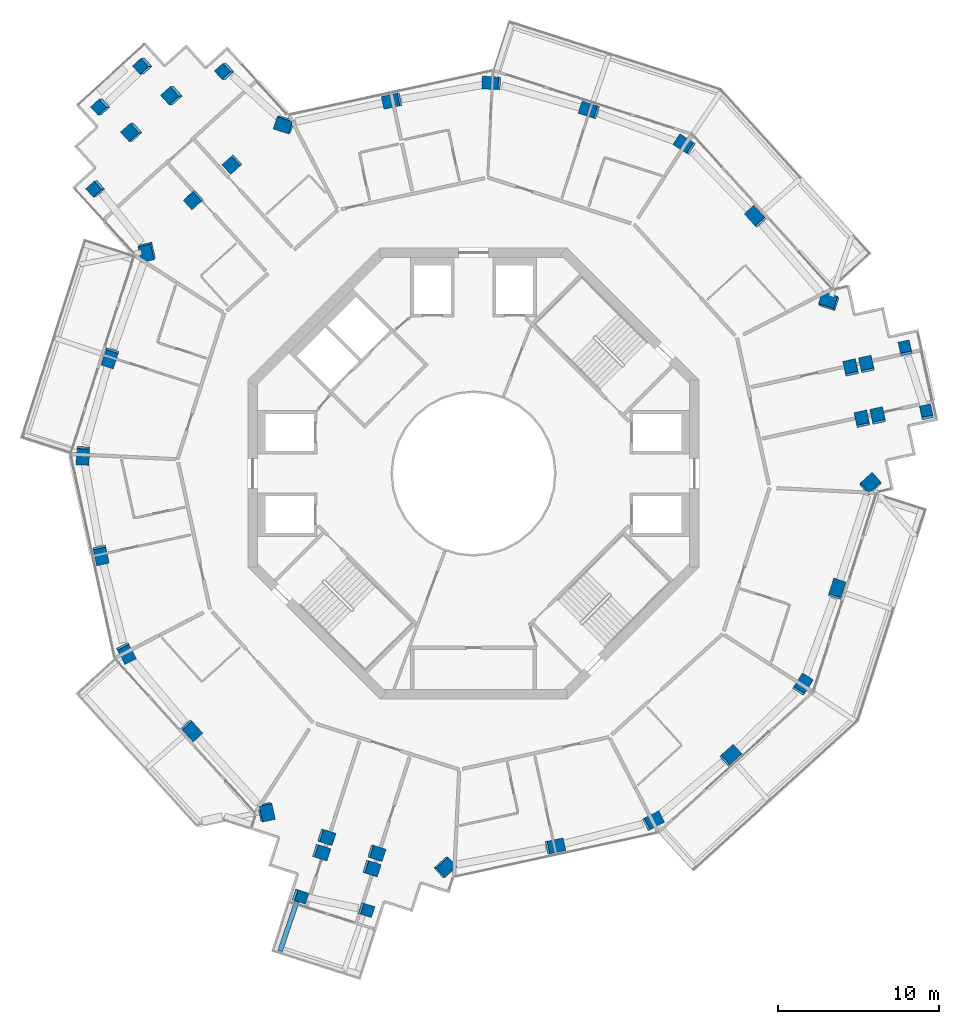
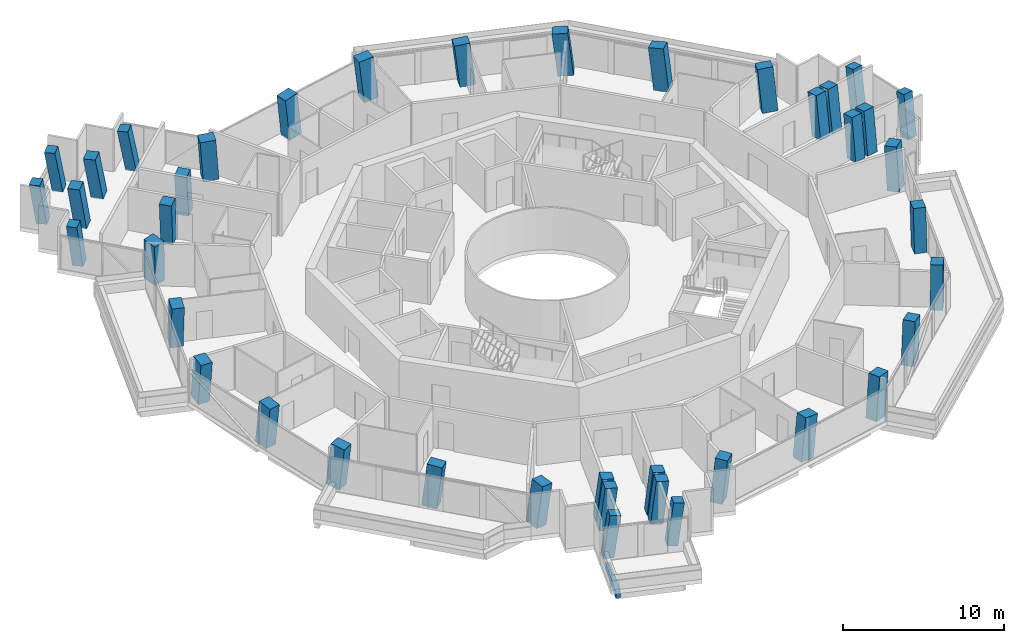
# One storey, part 1 of 23: 41 columns, 1 beam.
"""IFC4 building model written with IfcOpenShell, lengths in metres."""

from ifc_helpers import new_model, si_unit, direction, frame, origin, origin_2d, place, context, subcontext, project, spatial, rectangle, extrude, material, material_profile, profile_set, type_object, element, save


model = new_model("IFC4")

# Units and contexts
model_context = context("Model", 3, precision=1e-05, world=origin(), true_north=direction((0.0, 1.0)))
body_context = subcontext(model_context, "Body", "Model", "MODEL_VIEW")
ifc_project = project(units=[si_unit("LENGTHUNIT", "METRE"), si_unit("AREAUNIT", "SQUARE_METRE"), si_unit("VOLUMEUNIT", "CUBIC_METRE"), si_unit("PLANEANGLEUNIT", "RADIAN"), si_unit("MASSUNIT", "GRAM", prefix="KILO")], contexts=[model_context])

# Site, building, storey
site_placement = place(None, origin())
site = spatial("IfcSite", under=ifc_project, at=site_placement, CompositionType="ELEMENT")
building_placement = place(site_placement, origin())
building = spatial("IfcBuilding", under=site, at=building_placement, Name="Verdalira Terraces Hotel", CompositionType="ELEMENT")
storey_placement = place(building_placement, frame((0.0, 0.0, 205.5)))
storey = spatial("IfcBuildingStorey", under=building, at=storey_placement, Name="L50", CompositionType="ELEMENT", Elevation=205.5)

# Columns
ifc_material_1 = material(Name="Concrete C60", Category="concrete")
ifc_material_profile_1 = material_profile(ifc_material_1, rectangle(XDim=1.0, YDim=0.800049, at=origin_2d()), Name="RC 1000X800")
ifc_profile_set_1 = profile_set([ifc_material_profile_1], Name="Concrete C60")
column_type_1 = type_object("IfcColumnType", Name="Column RC 1000X800 C60", PredefinedType="COLUMN", material=ifc_profile_set_1)
column_1_placement = place(storey_placement, frame((-20.239258, 13.780762, 0.0), z_axis=(-0.06476386, -0.096765721, 0.993197884), x_axis=(-0.217556406, 0.972715504, 0.080583865)))
element("IfcColumn", 1, at=column_1_placement, inside=storey, type_object=column_type_1, Name="Column C03", PredefinedType="COLUMN", context=body_context, shape_type="SweptSolid", body=[
    extrude(rectangle(XDim=1.0, YDim=0.800049, at=origin_2d()), origin(), (0.0, 0.0, 1.0), 3.21167),
])
column_2_placement = place(storey_placement, frame((-22.530762, 7.216553, 0.0), z_axis=(-0.033461235, -0.107456192, 0.993646573), x_axis=(-0.303463828, -0.946173408, -0.11254149)))
element("IfcColumn", 2, at=column_2_placement, inside=storey, type_object=column_type_1, Name="Column C04", PredefinedType="COLUMN", context=body_context, shape_type="SweptSolid", body=[
    extrude(rectangle(XDim=1.0, YDim=0.800049, at=origin_2d()), origin(), (0.0, 0.0, 1.0), 3.210449),
])
column_3_placement = place(storey_placement, frame((-24.226807, 1.167969, 0.0), z_axis=(-0.004561423, -0.115251947, 0.993325819), x_axis=(0.047708269, 0.992179948, 0.115338076)))
element("IfcColumn", 3, at=column_3_placement, inside=storey, type_object=column_type_1, Name="Column C05", PredefinedType="COLUMN", context=body_context, shape_type="SweptSolid", body=[
    extrude(rectangle(XDim=1.0, YDim=0.800049, at=origin_2d()), origin(), (0.0, 0.0, 1.0), 3.211426),
])
column_4_placement = place(storey_placement, frame((-23.120605, -5.015625, 0.0), z_axis=(0.024791644, -0.109813294, 0.993643002), x_axis=(0.210587098, -0.971071774, -0.112573017)))
element("IfcColumn", 4, at=column_4_placement, inside=storey, type_object=column_type_1, Name="Column C06", PredefinedType="COLUMN", context=body_context, shape_type="SweptSolid", body=[
    extrude(rectangle(XDim=1.0, YDim=0.800049, at=origin_2d()), origin(), (0.0, 0.0, 1.0), 3.210449),
])
column_5_placement = place(storey_placement, frame((-21.564941, -11.101807, 0.0), z_axis=(0.053672705, -0.102099777, 0.993325161), x_axis=(-0.4547247, 0.883131513, 0.115343736)))
element("IfcColumn", 5, at=column_5_placement, inside=storey, type_object=column_type_1, Name="Column C07", PredefinedType="COLUMN", context=body_context, shape_type="SweptSolid", body=[
    extrude(rectangle(XDim=1.0, YDim=0.800049, at=origin_2d()), origin(), (0.0, 0.0, 1.0), 3.211426),
])
column_6_placement = place(storey_placement, frame((-17.515137, -15.904053, 0.0), z_axis=(0.076352583, -0.082664599, 0.993648251), x_axis=(0.667977152, -0.735625089, -0.112526675)))
element("IfcColumn", 6, at=column_6_placement, inside=storey, type_object=column_type_1, Name="Column C08", PredefinedType="COLUMN", context=body_context, shape_type="SweptSolid", body=[
    extrude(rectangle(XDim=1.0, YDim=0.800049, at=origin_2d()), origin(), (0.0, 0.0, 1.0), 3.210449),
])
column_7_placement = place(storey_placement, frame((-12.912598, -20.972656, 0.0), z_axis=(0.100178851, -0.060578562, 0.993123575), x_axis=(-0.204249823, 0.975634972, 0.080114981)))
element("IfcColumn", 7, at=column_7_placement, inside=storey, type_object=column_type_1, Name="Column C09", PredefinedType="COLUMN", context=body_context, shape_type="SweptSolid", body=[
    extrude(rectangle(XDim=1.0, YDim=0.800049, at=origin_2d()), origin(), (0.0, 0.0, 1.0), 3.211914),
])
column_8_placement = place(storey_placement, frame((-1.814697, -24.418213, 0.0), z_axis=(0.116149824, -0.007601428, 0.993202616), x_axis=(-0.733039071, -0.675399484, 0.080555928)))
element("IfcColumn", 8, at=column_8_placement, inside=storey, type_object=column_type_1, Name="Column C12", PredefinedType="COLUMN", context=body_context, shape_type="SweptSolid", body=[
    extrude(rectangle(XDim=1.0, YDim=0.800049, at=origin_2d()), origin(), (0.0, 0.0, 1.0), 3.21167),
])
column_9_placement = place(storey_placement, frame((5.015625, -23.120605, 0.0), z_axis=(0.109813294, 0.024791644, 0.993643002), x_axis=(0.971071774, 0.210587098, -0.112573017)))
element("IfcColumn", 9, at=column_9_placement, inside=storey, type_object=column_type_1, Name="Column C13", PredefinedType="COLUMN", context=body_context, shape_type="SweptSolid", body=[
    extrude(rectangle(XDim=1.0, YDim=0.800049, at=origin_2d()), origin(), (0.0, 0.0, 1.0), 3.210449),
])
column_10_placement = place(storey_placement, frame((11.101807, -21.564941, 0.0), z_axis=(0.102099777, 0.053672705, 0.993325161), x_axis=(-0.883131513, -0.4547247, 0.115343736)))
element("IfcColumn", 10, at=column_10_placement, inside=storey, type_object=column_type_1, Name="Column C14", PredefinedType="COLUMN", context=body_context, shape_type="SweptSolid", body=[
    extrude(rectangle(XDim=1.0, YDim=0.800049, at=origin_2d()), origin(), (0.0, 0.0, 1.0), 3.211426),
])
column_11_placement = place(storey_placement, frame((15.904053, -17.515137, 0.0), z_axis=(0.082664599, 0.076352583, 0.993648251), x_axis=(0.735625089, 0.667977152, -0.112526675)))
element("IfcColumn", 11, at=column_11_placement, inside=storey, type_object=column_type_1, Name="Column C15", PredefinedType="COLUMN", context=body_context, shape_type="SweptSolid", body=[
    extrude(rectangle(XDim=1.0, YDim=0.800049, at=origin_2d()), origin(), (0.0, 0.0, 1.0), 3.210449),
])
column_12_placement = place(storey_placement, frame((20.396973, -13.124756, 0.0), z_axis=(0.061579147, 0.097538328, 0.993324863), x_axis=(-0.537392943, -0.83540652, 0.115346307)))
element("IfcColumn", 12, at=column_12_placement, inside=storey, type_object=column_type_1, Name="Column C16", PredefinedType="COLUMN", context=body_context, shape_type="SweptSolid", body=[
    extrude(rectangle(XDim=1.0, YDim=0.800049, at=origin_2d()), origin(), (0.0, 0.0, 1.0), 3.211426),
])
column_13_placement = place(storey_placement, frame((22.530762, -7.216553, 0.0), z_axis=(0.033461235, 0.107456192, 0.993646573), x_axis=(0.303463828, 0.946173408, -0.11254149)))
element("IfcColumn", 13, at=column_13_placement, inside=storey, type_object=column_type_1, Name="Column C17", PredefinedType="COLUMN", context=body_context, shape_type="SweptSolid", body=[
    extrude(rectangle(XDim=1.0, YDim=0.800049, at=origin_2d()), origin(), (0.0, 0.0, 1.0), 3.210449),
])
column_14_placement = place(storey_placement, frame((24.619141, -0.696289, 0.0), z_axis=(0.002356254, 0.117052602, 0.993122921), x_axis=(-0.742703167, -0.664810489, 0.080118778)))
element("IfcColumn", 14, at=column_14_placement, inside=storey, type_object=column_type_1, Name="Column C18", PredefinedType="COLUMN", context=body_context, shape_type="SweptSolid", body=[
    extrude(rectangle(XDim=1.0, YDim=0.800049, at=origin_2d()), origin(), (0.0, 0.0, 1.0), 3.211914),
])
column_15_placement = place(storey_placement, frame((22.054199, 10.637451, 0.0), z_axis=(-0.051461458, 0.104443195, 0.993198539), x_axis=(0.951300961, -0.297545535, 0.080580003)))
element("IfcColumn", 15, at=column_15_placement, inside=storey, type_object=column_type_1, Name="Column C21", PredefinedType="COLUMN", context=body_context, shape_type="SweptSolid", body=[
    extrude(rectangle(XDim=1.0, YDim=0.800049, at=origin_2d()), origin(), (0.0, 0.0, 1.0), 3.21167),
])
column_16_placement = place(storey_placement, frame((17.515137, 15.904053, 0.0), z_axis=(-0.076352583, 0.082664599, 0.993648251), x_axis=(-0.667977152, 0.735625089, -0.112526675)))
element("IfcColumn", 16, at=column_16_placement, inside=storey, type_object=column_type_1, Name="Column C22", PredefinedType="COLUMN", context=body_context, shape_type="SweptSolid", body=[
    extrude(rectangle(XDim=1.0, YDim=0.800049, at=origin_2d()), origin(), (0.0, 0.0, 1.0), 3.210449),
])
column_17_placement = place(storey_placement, frame((13.124756, 20.396973, 0.0), z_axis=(-0.097538328, 0.061579147, 0.993324863), x_axis=(0.83540652, -0.537392943, 0.115346307)))
element("IfcColumn", 17, at=column_17_placement, inside=storey, type_object=column_type_1, Name="Column C23", PredefinedType="COLUMN", context=body_context, shape_type="SweptSolid", body=[
    extrude(rectangle(XDim=1.0, YDim=0.800049, at=origin_2d()), origin(), (0.0, 0.0, 1.0), 3.211426),
])
column_18_placement = place(storey_placement, frame((7.216553, 22.530762, 0.0), z_axis=(-0.107456192, 0.033461235, 0.993646573), x_axis=(-0.946173408, 0.303463828, -0.11254149)))
element("IfcColumn", 18, at=column_18_placement, inside=storey, type_object=column_type_1, Name="Column C24", PredefinedType="COLUMN", context=body_context, shape_type="SweptSolid", body=[
    extrude(rectangle(XDim=1.0, YDim=0.800049, at=origin_2d()), origin(), (0.0, 0.0, 1.0), 3.210449),
])
column_19_placement = place(storey_placement, frame((1.167969, 24.226807, 0.0), z_axis=(-0.115251947, 0.004561423, 0.993325819), x_axis=(0.992179948, -0.047708269, 0.115338076)))
element("IfcColumn", 19, at=column_19_placement, inside=storey, type_object=column_type_1, Name="Column C25", PredefinedType="COLUMN", context=body_context, shape_type="SweptSolid", body=[
    extrude(rectangle(XDim=1.0, YDim=0.800049, at=origin_2d()), origin(), (0.0, 0.0, 1.0), 3.211426),
])
column_20_placement = place(storey_placement, frame((-5.015625, 23.120605, 0.0), z_axis=(-0.109813294, -0.024791644, 0.993643002), x_axis=(-0.971071774, -0.210587098, -0.112573017)))
element("IfcColumn", 20, at=column_20_placement, inside=storey, type_object=column_type_1, Name="Column C26", PredefinedType="COLUMN", context=body_context, shape_type="SweptSolid", body=[
    extrude(rectangle(XDim=1.0, YDim=0.800049, at=origin_2d()), origin(), (0.0, 0.0, 1.0), 3.210449),
])
column_21_placement = place(storey_placement, frame((-11.706543, 21.668945, 0.0), z_axis=(-0.10253525, -0.056474196, 0.993124961), x_axis=(0.947085936, -0.310823275, 0.080106937)))
element("IfcColumn", 21, at=column_21_placement, inside=storey, type_object=column_type_1, Name="Column C27", PredefinedType="COLUMN", context=body_context, shape_type="SweptSolid", body=[
    extrude(rectangle(XDim=1.0, YDim=0.800049, at=origin_2d()), origin(), (0.0, 0.0, 1.0), 3.211914),
])
ifc_material_2 = material(Name="Concrete C60", Category="concrete")
ifc_material_profile_2 = material_profile(ifc_material_2, rectangle(XDim=0.699951, YDim=0.699951, at=origin_2d()), Name="RC 700X700")
ifc_profile_set_2 = profile_set([ifc_material_profile_2], Name="Concrete C60")
column_type_2 = type_object("IfcColumnType", Name="Column RC 700X700 C60", PredefinedType="COLUMN", material=ifc_profile_set_2)
column_22_placement = place(storey_placement, frame((-15.350098, 24.937988, 0.0), z_axis=(-0.188143929, 0.003006695, 0.982136865), x_axis=(-0.653260658, 0.746332904, -0.127427272)))
element("IfcColumn", 22, at=column_22_placement, inside=storey, type_object=column_type_2, Name="Column C01", PredefinedType="COLUMN", context=body_context, shape_type="SweptSolid", body=[
    extrude(rectangle(XDim=0.699951, YDim=0.699951, at=origin_2d()), origin(), (0.0, 0.0, 1.0), 3.248047),
])
column_23_placement = place(storey_placement, frame((-23.374023, 17.679199, 0.0), z_axis=(-0.154537961, -0.034610458, 0.987380441), x_axis=(0.661869424, -0.745606795, 0.077455615)))
element("IfcColumn", 23, at=column_23_placement, inside=storey, type_object=column_type_2, Name="Column C02", PredefinedType="COLUMN", context=body_context, shape_type="SweptSolid", body=[
    extrude(rectangle(XDim=0.699951, YDim=0.699951, at=origin_2d()), origin(), (0.0, 0.0, 1.0), 3.230713),
])
column_24_placement = place(storey_placement, frame((-10.810059, -26.209961, 0.0), z_axis=(0.124755193, -0.050281272, 0.990912678), x_axis=(0.944042809, -0.301311591, -0.134143579)))
element("IfcColumn", 24, at=column_24_placement, inside=storey, type_object=column_type_2, Name="Column C10", PredefinedType="COLUMN", context=body_context, shape_type="SweptSolid", body=[
    extrude(rectangle(XDim=0.699951, YDim=0.699951, at=origin_2d()), origin(), (0.0, 0.0, 1.0), 3.219238),
])
column_25_placement = place(storey_placement, frame((-6.714111, -27.059814, 0.0), z_axis=(0.128661596, -0.030799887, 0.99121015), x_axis=(0.943574622, -0.303751339, -0.131916853)))
element("IfcColumn", 25, at=column_25_placement, inside=storey, type_object=column_type_2, Name="Column C11", PredefinedType="COLUMN", context=body_context, shape_type="SweptSolid", body=[
    extrude(rectangle(XDim=0.699951, YDim=0.699951, at=origin_2d()), origin(), (0.0, 0.0, 1.0), 3.218262),
])
column_26_placement = place(storey_placement, frame((28.103516, 3.743408, 0.0), z_axis=(-0.018884111, 0.133098852, 0.990922846), x_axis=(-0.211529325, 0.96813268, -0.134068855)))
element("IfcColumn", 26, at=column_26_placement, inside=storey, type_object=column_type_2, Name="Column C19", PredefinedType="COLUMN", context=body_context, shape_type="SweptSolid", body=[
    extrude(rectangle(XDim=0.699951, YDim=0.699951, at=origin_2d()), origin(), (0.0, 0.0, 1.0), 3.219238),
])
column_27_placement = place(storey_placement, frame((26.791504, 7.715332, 0.0), z_axis=(-0.03762741, 0.126840786, 0.991209157), x_axis=(-0.208486011, 0.969086978, -0.131924268)))
element("IfcColumn", 27, at=column_27_placement, inside=storey, type_object=column_type_2, Name="Column C20", PredefinedType="COLUMN", context=body_context, shape_type="SweptSolid", body=[
    extrude(rectangle(XDim=0.699951, YDim=0.699951, at=origin_2d()), origin(), (0.0, 0.0, 1.0), 3.218262),
])
column_28_placement = place(storey_placement, frame((-20.430664, 25.281982, 0.0), z_axis=(-0.18948051, -0.020886432, 0.981662311), x_axis=(-0.719903832, -0.676919249, -0.153358412)))
element("IfcColumn", 28, at=column_28_placement, inside=storey, type_object=column_type_2, Name="Column C28", PredefinedType="COLUMN", context=body_context, shape_type="SweptSolid", body=[
    extrude(rectangle(XDim=0.699951, YDim=0.699951, at=origin_2d()), origin(), (0.0, 0.0, 1.0), 3.249512),
])
column_29_placement = place(storey_placement, frame((-23.044189, 22.760498, 0.0), z_axis=(-0.177866059, -0.033194639, 0.983494678), x_axis=(-0.721530082, -0.675203643, -0.153278769)))
element("IfcColumn", 29, at=column_29_placement, inside=storey, type_object=column_type_2, Name="Column C29", PredefinedType="COLUMN", context=body_context, shape_type="SweptSolid", body=[
    extrude(rectangle(XDim=0.699951, YDim=0.699951, at=origin_2d()), origin(), (0.0, 0.0, 1.0), 3.243408),
])
ifc_material_3 = material(Name="Concrete C60", Category="concrete")
ifc_material_profile_3 = material_profile(ifc_material_3, rectangle(XDim=0.800049, YDim=0.800049, at=origin_2d()), Name="RC 800X800")
ifc_profile_set_3 = profile_set([ifc_material_profile_3], Name="Concrete C60")
column_type_3 = type_object("IfcColumnType", Name="Column RC 800X800 C60", PredefinedType="COLUMN", material=ifc_profile_set_3)
for number, where, z_axis, x_axis, name in (
    (30, (-14.933105, 19.207275, 0.0), (-0.090693005, -0.071763786, 0.993289856), (-0.671676342, 0.740803591, -0.007805854), "Column C30"),
    (31, (-17.34375, 17.018311, 0.0), (-0.080278693, -0.08316751, 0.993296782), (-0.672734748, 0.739844963, 0.007575578), "Column C31"),
):
    element("IfcColumn", number, at=place(storey_placement, frame(where, z_axis=z_axis, x_axis=x_axis)), inside=storey, type_object=column_type_3, Name=name, PredefinedType="COLUMN", context=body_context, shape_type="SweptSolid", body=[
        extrude(rectangle(XDim=0.800049, YDim=0.800049, at=origin_2d()), origin(), (0.0, 0.0, 1.0), 3.211426),
    ])
column_30_placement = place(storey_placement, frame((-18.628418, 23.447266, 0.0), z_axis=(-0.181156122, -0.012418263, 0.983375943), x_axis=(-0.656039911, 0.746455194, -0.11142836)))
element("IfcColumn", 32, at=column_30_placement, inside=storey, type_object=column_type_3, Name="Column C32", PredefinedType="COLUMN", context=body_context, shape_type="SweptSolid", body=[
    extrude(rectangle(XDim=0.800049, YDim=0.800049, at=origin_2d()), origin(), (0.0, 0.0, 1.0), 3.243896),
])
column_31_placement = place(storey_placement, frame((-21.124023, 21.181396, 0.0), z_axis=(-0.170753609, -0.02412413, 0.985018391), x_axis=(-0.658818045, 0.746160691, -0.095932302)))
element("IfcColumn", 33, at=column_31_placement, inside=storey, type_object=column_type_3, Name="Column C33", PredefinedType="COLUMN", context=body_context, shape_type="SweptSolid", body=[
    extrude(rectangle(XDim=0.800049, YDim=0.800049, at=origin_2d()), origin(), (0.0, 0.0, 1.0), 3.238525),
])
for number, where, z_axis, x_axis, name in (
    (34, (-9.16748, -22.535889, 0.0), (0.107493371, -0.042723674, 0.993287402), (-0.306206839, -0.951932991, -0.007807276), "Column C34"),
    (35, (-6.066406, -23.529297, 0.0), (0.112132234, -0.02790002, 0.993301541), (-0.304104929, -0.952608442, 0.007572897), "Column C35"),
):
    element("IfcColumn", number, at=place(storey_placement, frame(where, z_axis=z_axis, x_axis=x_axis)), inside=storey, type_object=column_type_3, Name=name, PredefinedType="COLUMN", context=body_context, shape_type="SweptSolid", body=[
        extrude(rectangle(XDim=0.800049, YDim=0.800049, at=origin_2d()), origin(), (0.0, 0.0, 1.0), 3.211426),
    ])
column_32_placement = place(storey_placement, frame((-9.488525, -23.483154, 0.0), z_axis=(0.111991532, -0.044143202, 0.992728198), x_axis=(-0.305779422, -0.952070104, -0.007839726)))
element("IfcColumn", 36, at=column_32_placement, inside=storey, type_object=column_type_3, Name="Column C36", PredefinedType="COLUMN", context=body_context, shape_type="SweptSolid", body=[
    extrude(rectangle(XDim=0.800049, YDim=0.800049, at=origin_2d()), origin(), (0.0, 0.0, 1.0), 3.213379),
])
column_33_placement = place(storey_placement, frame((-6.371338, -24.481689, 0.0), z_axis=(0.116628137, -0.029252008, 0.99274478), x_axis=(-0.303691878, -0.95273995, 0.007604634)))
element("IfcColumn", 37, at=column_33_placement, inside=storey, type_object=column_type_3, Name="Column C37", PredefinedType="COLUMN", context=body_context, shape_type="SweptSolid", body=[
    extrude(rectangle(XDim=0.800049, YDim=0.800049, at=origin_2d()), origin(), (0.0, 0.0, 1.0), 3.213135),
])
for number, where, z_axis, x_axis, name in (
    (38, (24.100586, 3.328613, 0.0), (-0.016800511, 0.114486741, 0.993282704), (0.977413581, 0.211191133, -0.007809999), "Column C38"),
    (39, (23.410156, 6.510986, 0.0), (-0.031928853, 0.111142816, 0.993291409), (0.977033814, 0.212949505, 0.007578603), "Column C39"),
):
    element("IfcColumn", number, at=place(storey_placement, frame(where, z_axis=z_axis, x_axis=x_axis)), inside=storey, type_object=column_type_3, Name=name, PredefinedType="COLUMN", context=body_context, shape_type="SweptSolid", body=[
        extrude(rectangle(XDim=0.800049, YDim=0.800049, at=origin_2d()), origin(), (0.0, 0.0, 1.0), 3.211426),
    ])
for number, where, z_axis, x_axis, name in (
    (40, (25.081299, 3.524414, 0.0), (-0.017702891, 0.119057642, 0.992729513), (0.977516709, 0.210712206, -0.00783902), "Column C40"),
    (41, (24.387451, 6.723145, 0.0), (-0.032974954, 0.115640277, 0.992743662), (0.976958901, 0.213291976, 0.007605218), "Column C41"),
):
    element("IfcColumn", number, at=place(storey_placement, frame(where, z_axis=z_axis, x_axis=x_axis)), inside=storey, type_object=column_type_3, Name=name, PredefinedType="COLUMN", context=body_context, shape_type="SweptSolid", body=[
        extrude(rectangle(XDim=0.800049, YDim=0.800049, at=origin_2d()), origin(), (0.0, 0.0, 1.0), 3.213379),
    ])

# Beam
ifc_material_4 = material(Name="Concrete C40", Category="concrete")
ifc_material_profile_4 = material_profile(ifc_material_4, rectangle(XDim=0.300049, YDim=0.5, at=origin_2d()), Name="RC 300X500")
ifc_profile_set_4 = profile_set([ifc_material_profile_4], Name="Concrete C40")
beam_type = type_object("IfcBeamType", Name="Balcony cantilever beam RC 300X500 C40", PredefinedType="BEAM", material=ifc_profile_set_4)
beam_placement = place(storey_placement, frame((-10.952393, -26.528809, -0.560059), z_axis=(-0.320951438, -0.947095652, 0.0), x_axis=(0.947095652, -0.320951438, 0.0)))
element("IfcBeam", 42, at=beam_placement, inside=storey, type_object=beam_type, Name="Balcony cantilever beam R19-1", PredefinedType="BEAM", context=body_context, shape_type="SweptSolid", body=[
    extrude(rectangle(XDim=0.300049, YDim=0.5, at=origin_2d()), origin(), (0.0, 0.0, 1.0), 3.253418),
])

save(model, "model.ifc")
